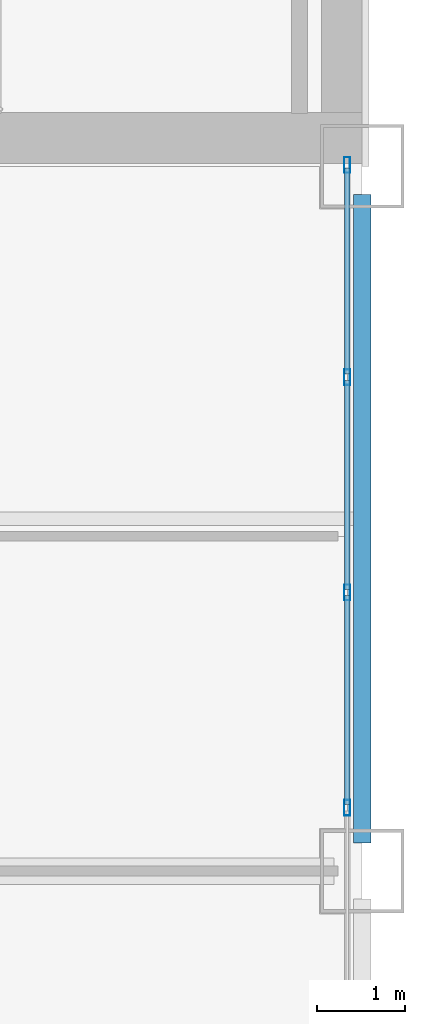
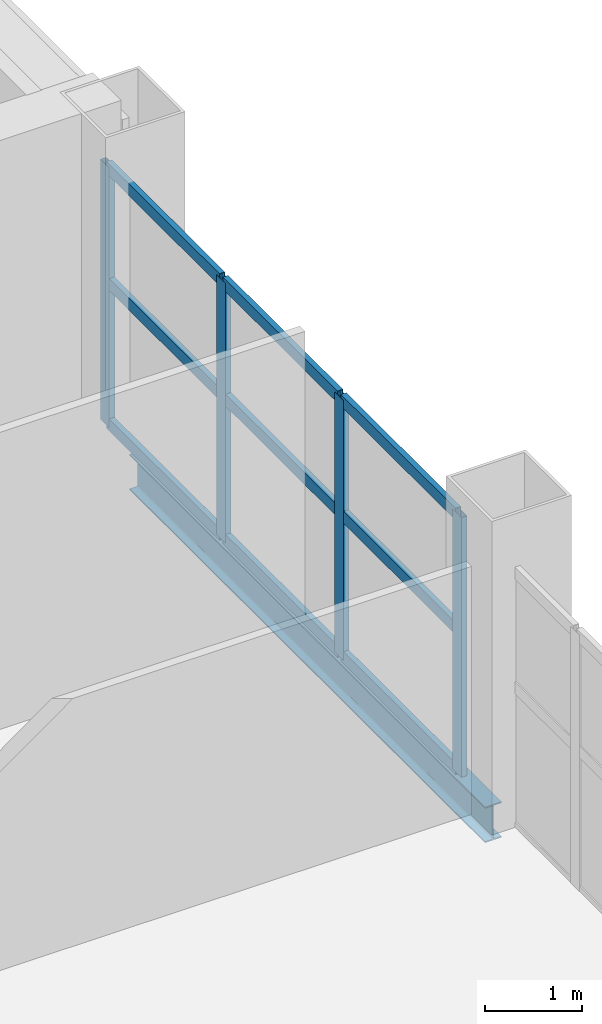
# One storey, part 6 of 12: 13 members, 1 beam, 1 element without a shape of its own.
"""IFC4 building model written with IfcOpenShell, lengths in metres."""

from ifc_helpers import new_model, si_unit, direction, frame, origin, origin_2d, place, context, subcontext, project, spatial, hollow_rectangle, i_section, extrude, material, layer, layer_set, material_profile, profile_set, type_object, element, aggregate, save


model = new_model("IFC4")

# Units and contexts
model_context = context("Model", 3, precision=1e-05, world=origin(), true_north=direction((0.0, 1.0)))
body_context = subcontext(model_context, "Body", "Model", "MODEL_VIEW")
ifc_project = project(units=[si_unit("LENGTHUNIT", "METRE"), si_unit("AREAUNIT", "SQUARE_METRE"), si_unit("VOLUMEUNIT", "CUBIC_METRE"), si_unit("PLANEANGLEUNIT", "RADIAN"), si_unit("MASSUNIT", "GRAM", prefix="KILO")], contexts=[model_context])

# Site, building, storey
site_placement = place(None, origin())
site = spatial("IfcSite", under=ifc_project, at=site_placement, CompositionType="ELEMENT")
building_placement = place(site_placement, origin())
building = spatial("IfcBuilding", under=site, at=building_placement, Name="Qianrong Seaharbour Tower", CompositionType="ELEMENT")
storey_placement = place(building_placement, frame((0.0, 0.0, 205.800048828125)))
storey = spatial("IfcBuildingStorey", under=building, at=storey_placement, Name="L49", CompositionType="ELEMENT", Elevation=205.800048828125)

# Beam
ifc_material_1 = material(Name="Structural steel SN400B", Category="steel")
ifc_material_profile_1 = material_profile(ifc_material_1, i_section(OverallWidth=0.199951171875, OverallDepth=0.449951171875, WebThickness=0.009033203125, FlangeThickness=0.013916015625, FilletRadius=0.01806640625, at=origin_2d()), Name="H450x200x9x14")
ifc_profile_set_1 = profile_set([ifc_material_profile_1], Name="Structural steel SN400B")
beam_type = type_object("IfcBeamType", Name="BM-SP-450", PredefinedType="SPANDREL", material=ifc_profile_set_1)
beam_placement = place(storey_placement, frame((64.0, 28.320068359375, -0.449951171875), z_axis=(0.0, 1.0, 0.0), x_axis=(-1.0, 0.0, 0.0)))
element("IfcBeam", 1, at=beam_placement, inside=storey, type_object=beam_type, Name="L49 Spandrel Girder G9 GE-GF", PredefinedType="SPANDREL", context=body_context, shape_type="SweptSolid", body=[
    extrude(i_section(OverallWidth=0.199951171875, OverallDepth=0.449951171875, WebThickness=0.009033203125, FlangeThickness=0.013916015625, FilletRadius=0.01806640625, at=origin_2d()), origin(), (0.0, 0.0, 1.0), 7.35986328125),
])

# Curtain wall, members
ifc_material_2 = material(Name="Anodised aluminium 6063-T6 and laminated low-e glass", Category="aluminium")
ifc_layer = layer(ifc_material_2, 0.195068359375)
ifc_layer_set = layer_set([ifc_layer], Name="Anodised aluminium 6063-T6 and laminated low-e glass")
curtain_wall_type = type_object("IfcCurtainWallType", Name="CW-SYS-3", PredefinedType="NOTDEFINED", material=ifc_layer_set)
curtain_wall_placement = place(storey_placement, origin())
curtain_wall = element("IfcCurtainWall", 2, at=curtain_wall_placement, inside=storey, type_object=curtain_wall_type, Name="L49 Sky-Garden Wintergarden Curtain Wall EAST_WING", PredefinedType="NOTDEFINED")
ifc_material_3 = material(Name="Extruded aluminium 6063-T6", Category="aluminium")
ifc_material_profile_2 = material_profile(ifc_material_3, hollow_rectangle(XDim=0.070068359375, YDim=0.179931640625, WallThickness=0.00390625, at=origin_2d()), Name="ALU-MUL-180x70x4")
ifc_profile_set_2 = profile_set([ifc_material_profile_2], Name="Extruded aluminium 6063-T6")
member_type_1 = type_object("IfcMemberType", Name="CW-MUL-180", PredefinedType="MULLION", material=ifc_profile_set_2)
member_1_placement = place(storey_placement, frame((63.830078125, 36.014892578125, 0.0), z_axis=(0.0, 0.0, 1.0), x_axis=(1.0, 0.0, 0.0)))
member_1 = element("IfcMember", 3, at=member_1_placement, type_object=member_type_1, Name="CW-3 mullion 1", PredefinedType="MULLION", context=body_context, shape_type="SweptSolid", body=[
    extrude(hollow_rectangle(XDim=0.070068359375, YDim=0.179931640625, WallThickness=0.00390625, at=origin_2d()), origin(), (0.0, 0.0, 1.0), 3.284912109375),
])
member_2_placement = place(storey_placement, frame((63.830078125, 33.606201171875, 0.0), z_axis=(0.0, 0.0, 1.0), x_axis=(1.0, 0.0, 0.0)))
member_2 = element("IfcMember", 4, at=member_2_placement, type_object=member_type_1, Name="CW-3 mullion 2", PredefinedType="MULLION", context=body_context, shape_type="SweptSolid", body=[
    extrude(hollow_rectangle(XDim=0.070068359375, YDim=0.179931640625, WallThickness=0.00390625, at=origin_2d()), origin(), (0.0, 0.0, 1.0), 3.284912109375),
])
member_3_placement = place(storey_placement, frame((63.830078125, 31.16259765625, 0.0), z_axis=(0.0, 0.0, 1.0), x_axis=(1.0, 0.0, 0.0)))
member_3 = element("IfcMember", 5, at=member_3_placement, type_object=member_type_1, Name="CW-3 mullion 3", PredefinedType="MULLION", context=body_context, shape_type="SweptSolid", body=[
    extrude(hollow_rectangle(XDim=0.070068359375, YDim=0.179931640625, WallThickness=0.00390625, at=origin_2d()), origin(), (0.0, 0.0, 1.0), 3.284912109375),
])
member_4_placement = place(storey_placement, frame((63.830078125, 28.71875, 0.0), z_axis=(0.0, 0.0, 1.0), x_axis=(1.0, 0.0, 0.0)))
member_4 = element("IfcMember", 6, at=member_4_placement, type_object=member_type_1, Name="CW-3 mullion 4", PredefinedType="MULLION", context=body_context, shape_type="SweptSolid", body=[
    extrude(hollow_rectangle(XDim=0.070068359375, YDim=0.179931640625, WallThickness=0.00390625, at=origin_2d()), origin(), (0.0, 0.0, 1.0), 3.284912109375),
])
ifc_material_profile_3 = material_profile(ifc_material_3, hollow_rectangle(XDim=0.06494140625, YDim=0.14990234375, WallThickness=0.00390625, at=origin_2d()), Name="ALU-TRN-150x65x4")
ifc_profile_set_3 = profile_set([ifc_material_profile_3], Name="Extruded aluminium 6063-T6")
member_type_2 = type_object("IfcMemberType", Name="CW-TRN-150", PredefinedType="USERDEFINED", material=ifc_profile_set_3)
member_5_placement = place(storey_placement, frame((63.830078125, 35.97998046875, 0.032470703125), z_axis=(0.0, -1.0, 0.0), x_axis=(1.0, 0.0, 0.0)))
member_5 = element("IfcMember", 7, at=member_5_placement, type_object=member_type_2, Name="CW-3 transom 1.1", ObjectType="TRANSOM", PredefinedType="USERDEFINED", context=body_context, shape_type="SweptSolid", body=[
    extrude(hollow_rectangle(XDim=0.06494140625, YDim=0.14990234375, WallThickness=0.00390625, at=origin_2d()), origin(), (0.0, 0.0, 1.0), 2.338623046875),
])
member_6_placement = place(storey_placement, frame((63.830078125, 35.97998046875, 1.806640625), z_axis=(0.0, -1.0, 0.0), x_axis=(1.0, 0.0, 0.0)))
member_6 = element("IfcMember", 8, at=member_6_placement, type_object=member_type_2, Name="CW-3 transom 1.2", ObjectType="TRANSOM", PredefinedType="USERDEFINED", context=body_context, shape_type="SweptSolid", body=[
    extrude(hollow_rectangle(XDim=0.06494140625, YDim=0.14990234375, WallThickness=0.00390625, at=origin_2d()), origin(), (0.0, 0.0, 1.0), 2.338623046875),
])
member_7_placement = place(storey_placement, frame((63.830078125, 35.97998046875, 3.25244140625), z_axis=(0.0, -1.0, 0.0), x_axis=(1.0, 0.0, 0.0)))
member_7 = element("IfcMember", 9, at=member_7_placement, type_object=member_type_2, Name="CW-3 transom 1.3", ObjectType="TRANSOM", PredefinedType="USERDEFINED", context=body_context, shape_type="SweptSolid", body=[
    extrude(hollow_rectangle(XDim=0.06494140625, YDim=0.14990234375, WallThickness=0.00390625, at=origin_2d()), origin(), (0.0, 0.0, 1.0), 2.338623046875),
])
member_8_placement = place(storey_placement, frame((63.830078125, 33.5712890625, 0.032470703125), z_axis=(0.0, -1.0, 0.0), x_axis=(1.0, 0.0, 0.0)))
member_8 = element("IfcMember", 10, at=member_8_placement, type_object=member_type_2, Name="CW-3 transom 2.1", ObjectType="TRANSOM", PredefinedType="USERDEFINED", context=body_context, shape_type="SweptSolid", body=[
    extrude(hollow_rectangle(XDim=0.06494140625, YDim=0.14990234375, WallThickness=0.00390625, at=origin_2d()), origin(), (0.0, 0.0, 1.0), 2.373779296875),
])
member_9_placement = place(storey_placement, frame((63.830078125, 33.5712890625, 1.806640625), z_axis=(0.0, -1.0, 0.0), x_axis=(1.0, 0.0, 0.0)))
member_9 = element("IfcMember", 11, at=member_9_placement, type_object=member_type_2, Name="CW-3 transom 2.2", ObjectType="TRANSOM", PredefinedType="USERDEFINED", context=body_context, shape_type="SweptSolid", body=[
    extrude(hollow_rectangle(XDim=0.06494140625, YDim=0.14990234375, WallThickness=0.00390625, at=origin_2d()), origin(), (0.0, 0.0, 1.0), 2.373779296875),
])
member_10_placement = place(storey_placement, frame((63.830078125, 33.5712890625, 3.25244140625), z_axis=(0.0, -1.0, 0.0), x_axis=(1.0, 0.0, 0.0)))
member_10 = element("IfcMember", 12, at=member_10_placement, type_object=member_type_2, Name="CW-3 transom 2.3", ObjectType="TRANSOM", PredefinedType="USERDEFINED", context=body_context, shape_type="SweptSolid", body=[
    extrude(hollow_rectangle(XDim=0.06494140625, YDim=0.14990234375, WallThickness=0.00390625, at=origin_2d()), origin(), (0.0, 0.0, 1.0), 2.373779296875),
])
member_11_placement = place(storey_placement, frame((63.830078125, 31.12744140625, 0.032470703125), z_axis=(0.0, -1.0, 0.0), x_axis=(1.0, 0.0, 0.0)))
member_11 = element("IfcMember", 13, at=member_11_placement, type_object=member_type_2, Name="CW-3 transom 3.1", ObjectType="TRANSOM", PredefinedType="USERDEFINED", context=body_context, shape_type="SweptSolid", body=[
    extrude(hollow_rectangle(XDim=0.06494140625, YDim=0.14990234375, WallThickness=0.00390625, at=origin_2d()), origin(), (0.0, 0.0, 1.0), 2.373779296875),
])
member_12_placement = place(storey_placement, frame((63.830078125, 31.12744140625, 1.806640625), z_axis=(0.0, -1.0, 0.0), x_axis=(1.0, 0.0, 0.0)))
member_12 = element("IfcMember", 14, at=member_12_placement, type_object=member_type_2, Name="CW-3 transom 3.2", ObjectType="TRANSOM", PredefinedType="USERDEFINED", context=body_context, shape_type="SweptSolid", body=[
    extrude(hollow_rectangle(XDim=0.06494140625, YDim=0.14990234375, WallThickness=0.00390625, at=origin_2d()), origin(), (0.0, 0.0, 1.0), 2.373779296875),
])
member_13_placement = place(storey_placement, frame((63.830078125, 31.12744140625, 3.25244140625), z_axis=(0.0, -1.0, 0.0), x_axis=(1.0, 0.0, 0.0)))
member_13 = element("IfcMember", 15, at=member_13_placement, type_object=member_type_2, Name="CW-3 transom 3.3", ObjectType="TRANSOM", PredefinedType="USERDEFINED", context=body_context, shape_type="SweptSolid", body=[
    extrude(hollow_rectangle(XDim=0.06494140625, YDim=0.14990234375, WallThickness=0.00390625, at=origin_2d()), origin(), (0.0, 0.0, 1.0), 2.373779296875),
])
aggregate(curtain_wall, [member_1, member_2, member_3, member_4, member_5, member_6, member_7, member_8, member_9, member_10, member_11, member_12, member_13])

save(model, "model.ifc")
